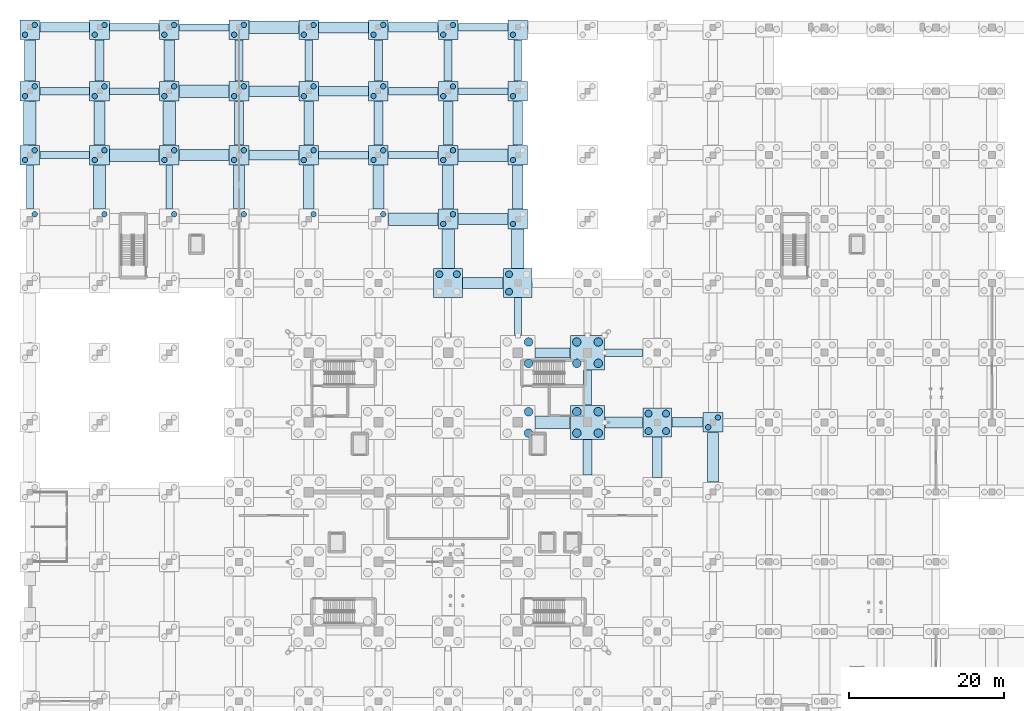
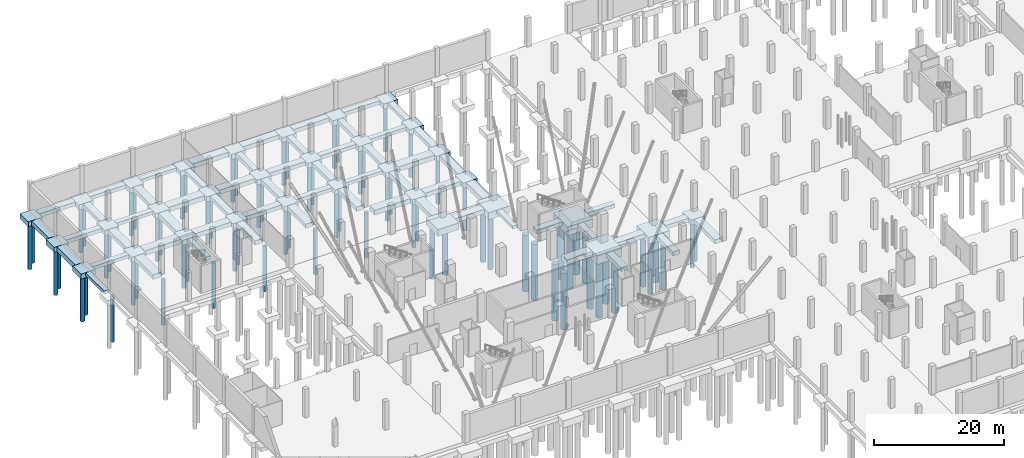
# One storey, part 6 of 42: 92 footings, 76 piles.
"""IFC4 building model written with IfcOpenShell, lengths in metres."""

import ifcopenshell
import ifcopenshell.guid

model = None  # the IFC model being written
_history = None  # IfcOwnerHistory: only IFC2X3 demands one
_inside = {}  # id of a spatial element -> (the spatial element, [elements in it])
_under = {}  # id of a project, library or spatial element -> (it, [spatial elements below it])
_declared = {}  # id of a project -> (the project, [libraries it declares])
_typed = {}  # id of a type object -> (the type object, [elements of that type])
_made_of = {}  # id of a material, layer set ... -> (it, [elements and type objects made of it])


def new_model(schema):
    """Start an empty IFC model of exactly this schema.

    Asked for "IFC4X3", IfcOpenShell would pick the latest addendum, in which some entities
    have other attributes; the version numbers below select the first issue.
    IFC2X3 requires an IfcOwnerHistory on every rooted entity: one is made here for all.
    """
    global model, _history
    if schema == "IFC4X3":
        model = ifcopenshell.file(schema_version=(4, 3, 0, 0))
    else:
        model = ifcopenshell.file(schema=schema)
    _inside.clear()
    _under.clear()
    _declared.clear()
    _typed.clear()
    _made_of.clear()
    _history = None
    if model.schema == "IFC2X3":
        org = make("IfcOrganization", Name="unknown")
        user = make(
            "IfcPersonAndOrganization",
            ThePerson=make("IfcPerson", FamilyName="unknown"),
            TheOrganization=org,
        )
        app = make(
            "IfcApplication",
            ApplicationDeveloper=org,
            Version="unknown",
            ApplicationFullName="unknown",
            ApplicationIdentifier="unknown",
        )
        _history = make(
            "IfcOwnerHistory",
            OwningUser=user,
            OwningApplication=app,
            ChangeAction="ADDED",
            CreationDate=0,
        )
    return model


def make(cls, **values):
    """One entity of the class cls with the attributes given. An attribute that is None is left unset."""
    return model.create_entity(
        cls, **{name: value for name, value in values.items() if value is not None}
    )


def rooted(cls, **values):
    """An entity with a GlobalId (a new one), such as an element, a storey or a relation."""
    return make(cls, GlobalId=ifcopenshell.guid.new(), OwnerHistory=_history, **values)


def si_unit(unit_type, name, prefix=None):
    """IfcSIUnit, for example si_unit("LENGTHUNIT", "METRE", prefix="MILLI")."""
    return make("IfcSIUnit", UnitType=unit_type, Prefix=prefix, Name=name)


def assignment(units):
    """IfcUnitAssignment: the units of a project."""
    return None if units is None else make("IfcUnitAssignment", Units=units)


def point(xyz):
    """IfcCartesianPoint."""
    return None if xyz is None else make("IfcCartesianPoint", Coordinates=xyz)


def direction(xyz):
    """IfcDirection."""
    return None if xyz is None else make("IfcDirection", DirectionRatios=xyz)


def frame(location, z_axis=None, x_axis=None):
    """IfcAxis2Placement3D, a coordinate frame: its origin and axes. An axis left out is left unset."""
    return make(
        "IfcAxis2Placement3D",
        Location=point(location),
        Axis=direction(z_axis),
        RefDirection=direction(x_axis),
    )


def frame_2d(location, x_axis=None):
    """IfcAxis2Placement2D, a coordinate frame in the plane: its origin and x axis."""
    return make(
        "IfcAxis2Placement2D", Location=point(location), RefDirection=direction(x_axis)
    )


def origin():
    """The frame at (0, 0, 0) with its axes left unset."""
    return frame((0.0, 0.0, 0.0))


def origin_2d():
    """The frame at (0, 0) in the plane with its x axis left unset."""
    return frame_2d((0.0, 0.0))


def place(relative_to, where):
    """IfcLocalPlacement: puts the frame where relative to a parent placement (None: the world)."""
    return make(
        "IfcLocalPlacement", PlacementRelTo=relative_to, RelativePlacement=where
    )


def context(
    kind, dimensions, precision=None, world=None, true_north=None, identifier=None
):
    """IfcGeometricRepresentationContext, for example the 3D "Model" context."""
    return make(
        "IfcGeometricRepresentationContext",
        ContextIdentifier=identifier,
        ContextType=kind,
        CoordinateSpaceDimension=dimensions,
        Precision=precision,
        WorldCoordinateSystem=world,
        TrueNorth=true_north,
    )


def subcontext(parent, identifier, kind, view, scale=None):
    """IfcGeometricRepresentationSubContext, for example "Body" below "Model"."""
    return make(
        "IfcGeometricRepresentationSubContext",
        ContextIdentifier=identifier,
        ContextType=kind,
        ParentContext=parent,
        TargetScale=scale,
        TargetView=view,
    )


def project(units=None, contexts=None):
    """IfcProject with its units and contexts."""
    return rooted(
        "IfcProject",
        Name="project",
        RepresentationContexts=contexts,
        UnitsInContext=assignment(units),
    )


def spatial(cls, under=None, at=None, **own):
    """A site, building, storey or space (cls), placed at a placement, below another one or the project."""
    s = rooted(cls, ObjectPlacement=at, **own)
    if under is not None:
        _under.setdefault(under.id(), (under, []))[1].append(s)
    return s


def profile(cls, at=None, kind="AREA", **sizes):
    """A parametric profile (cls). Its sizes go by their IFC names, for example OverallWidth=200.0."""
    return make(cls, ProfileType=kind, Position=at, **sizes)


def rectangle(**sizes):
    """IfcRectangleProfileDef."""
    return profile("IfcRectangleProfileDef", **sizes)


def circle(**sizes):
    """IfcCircleProfileDef."""
    return profile("IfcCircleProfileDef", **sizes)


def extrude(swept, where, along, depth):
    """IfcExtrudedAreaSolid: the profile swept, set in the frame where, extruded along a direction by depth."""
    return make(
        "IfcExtrudedAreaSolid",
        SweptArea=swept,
        Position=where,
        ExtrudedDirection=direction(along),
        Depth=depth,
    )


def shape(context_of_items, identifier, shape_type, items):
    """IfcShapeRepresentation: the items that make up one representation, for example the "Body"."""
    return make(
        "IfcShapeRepresentation",
        ContextOfItems=context_of_items,
        RepresentationIdentifier=identifier,
        RepresentationType=shape_type,
        Items=items,
    )


def material(Name=None, Category=None):
    """IfcMaterial."""
    return make("IfcMaterial", Name=Name, Category=Category)


def material_profile(
    of_material, cross_section, Name=None, Category=None, Priority=None
):
    """IfcMaterialProfile: a cross section and its material."""
    return make(
        "IfcMaterialProfile",
        Name=Name,
        Material=of_material,
        Profile=cross_section,
        Priority=Priority,
        Category=Category,
    )


def profile_set(profiles, Name=None, composite=None):
    """IfcMaterialProfileSet."""
    return make(
        "IfcMaterialProfileSet",
        Name=Name,
        MaterialProfiles=profiles,
        CompositeProfile=composite,
    )


def made_of(thing, what):
    """Note that an element or type object is made of a material, layer set ...; save() writes the relation."""
    if what is not None:
        _made_of.setdefault(what.id(), (what, []))[1].append(thing)
    return thing


def type_object(cls, material=None, **own):
    """A type object (cls), such as IfcWallType, which elements share."""
    return made_of(rooted(cls, **own), material)


def element(
    cls,
    number,
    at=None,
    inside=None,
    cuts=None,
    type_object=None,
    material=None,
    context=None,
    identifier="Body",
    shape_type=None,
    held_by="IfcProductDefinitionShape",
    body=None,
    shapes=None,
    **own,
):
    """One element of the class cls, such as IfcWall. Its Tag is "e" and its number.

    at: its placement. inside: the storey or other place that contains it. cuts: it is an
    opening in that element (IfcRelVoidsElement). A single representation is given by context,
    identifier, shape_type and body (its items); several are given by shapes. held_by: the class
    of the entity that holds the representations. save() writes the other relations.
    """
    e = rooted(cls, Tag="e%d" % number, ObjectPlacement=at, **own)
    if body is not None:
        shapes = [shape(context, identifier, shape_type, body)]
    if shapes is not None:
        e.Representation = make(held_by, Representations=shapes)
    if inside is not None:
        _inside.setdefault(inside.id(), (inside, []))[1].append(e)
    if cuts is not None:
        rooted(
            "IfcRelVoidsElement", RelatingBuildingElement=cuts, RelatedOpeningElement=e
        )
    if type_object is not None:
        _typed.setdefault(type_object.id(), (type_object, []))[1].append(e)
    return made_of(e, material)


def aggregate(whole, parts):
    """IfcRelAggregates: a whole, such as a stair, and the parts it consists of."""
    return rooted("IfcRelAggregates", RelatingObject=whole, RelatedObjects=parts)


def save(model, path):
    """Write the relations noted so far, then the file.

    IfcRelAggregates (storeys below a building ...), IfcRelContainedInSpatialStructure (elements
    in a storey), IfcRelDefinesByType, IfcRelAssociatesMaterial and IfcRelDeclares: one each for
    every whole, place, type object, material and project.
    """
    for whole, parts in _under.values():
        aggregate(whole, parts)
    for where, things in _inside.values():
        rooted(
            "IfcRelContainedInSpatialStructure",
            RelatedElements=things,
            RelatingStructure=where,
        )
    for kind, things in _typed.values():
        rooted("IfcRelDefinesByType", RelatedObjects=things, RelatingType=kind)
    for what, things in _made_of.values():
        rooted("IfcRelAssociatesMaterial", RelatedObjects=things, RelatingMaterial=what)
    for by, libraries in _declared.values():
        rooted("IfcRelDeclares", RelatingContext=by, RelatedDefinitions=libraries)
    model.write(path)


model = new_model("IFC4")

# Units and contexts
model_context = context("Model", 3, precision=1e-05, world=origin(), true_north=direction((0.0, 1.0)))
body_context = subcontext(model_context, "Body", "Model", "MODEL_VIEW")
ifc_project = project(units=[si_unit("LENGTHUNIT", "METRE"), si_unit("AREAUNIT", "SQUARE_METRE"), si_unit("VOLUMEUNIT", "CUBIC_METRE"), si_unit("PLANEANGLEUNIT", "RADIAN"), si_unit("MASSUNIT", "GRAM", prefix="KILO")], contexts=[model_context])

# Site, building, storey
site_placement = place(None, origin())
site = spatial("IfcSite", under=ifc_project, at=site_placement, CompositionType="ELEMENT")
building_placement = place(site_placement, origin())
building = spatial("IfcBuilding", under=site, at=building_placement, Name="Sundgate Opera House", CompositionType="ELEMENT")
storey_placement = place(building_placement, frame((0.0, 0.0, -5.39990234375)))
storey = spatial("IfcBuildingStorey", under=building, at=storey_placement, Name="B01", CompositionType="ELEMENT", Elevation=-5.39990234375)

# Footings
ifc_material_1 = material(Name="Concrete C40/50", Category="concrete")
footing_type_1 = type_object("IfcFootingType", Name="FT-PC-2540x2540x950", PredefinedType="PILE_CAP", material=ifc_material_1)
for number, where, z_axis, x_axis, name in (
    (1, (0.0, 103.5, -1.75), (0.0, 0.0, 1.0), (1.0, 0.0, 0.0), "Pile Cap F0013"),
    (2, (0.0, 111.75, -1.75), (0.0, 0.0, 1.0), (1.0, 0.0, 0.0), "Pile Cap F0014"),
    (3, (0.0, 119.679931640625, -1.75), (0.0, 0.0, 1.0), (1.0, 0.0, 0.0), "Pile Cap F0015"),
    (4, (9.0, 103.5, -1.75), (0.0, 0.0, 1.0), (1.0, 0.0, 0.0), "Pile Cap F0028"),
    (5, (9.0, 111.75, -1.75), (0.0, 0.0, 1.0), (1.0, 0.0, 0.0), "Pile Cap F0029"),
    (6, (9.0, 119.679931640625, -1.75), (0.0, 0.0, 1.0), (1.0, 0.0, 0.0), "Pile Cap F0030"),
    (7, (18.0, 103.5, -1.75), (0.0, 0.0, 1.0), (1.0, 0.0, 0.0), "Pile Cap F0042"),
    (8, (18.0, 111.75, -1.75), (0.0, 0.0, 1.0), (1.0, 0.0, 0.0), "Pile Cap F0043"),
    (9, (18.0, 119.679931640625, -1.75), (0.0, 0.0, 1.0), (1.0, 0.0, 0.0), "Pile Cap F0044"),
    (10, (27.0, 103.5, -1.75), (0.0, 0.0, 1.0), (1.0, 0.0, 0.0), "Pile Cap F0056"),
    (11, (27.0, 111.75, -1.75), (0.0, 0.0, 1.0), (1.0, 0.0, 0.0), "Pile Cap F0057"),
    (12, (27.0, 119.679931640625, -1.75), (0.0, 0.0, 1.0), (1.0, 0.0, 0.0), "Pile Cap F0058"),
    (13, (36.0, 103.5, -1.75), (0.0, 0.0, 1.0), (1.0, 0.0, 0.0), "Pile Cap F0067"),
    (14, (36.0, 111.75, -1.75), (0.0, 0.0, 1.0), (1.0, 0.0, 0.0), "Pile Cap F0068"),
    (15, (36.0, 119.679931640625, -1.75), (0.0, 0.0, 1.0), (1.0, 0.0, 0.0), "Pile Cap F0069"),
    (16, (45.0, 103.5, -1.75), (0.0, 0.0, 1.0), (1.0, 0.0, 0.0), "Pile Cap F0078"),
    (17, (45.0, 111.75, -1.75), (0.0, 0.0, 1.0), (1.0, 0.0, 0.0), "Pile Cap F0079"),
    (18, (45.0, 119.679931640625, -1.75), (0.0, 0.0, 1.0), (1.0, 0.0, 0.0), "Pile Cap F0080"),
    (19, (54.0, 95.25, -1.75), (0.0, 0.0, 1.0), (1.0, 0.0, 0.0), "Pile Cap F0088"),
    (20, (54.0, 103.5, -1.75), (0.0, 0.0, 1.0), (1.0, 0.0, 0.0), "Pile Cap F0089"),
    (21, (54.0, 111.75, -1.75), (0.0, 0.0, 1.0), (1.0, 0.0, 0.0), "Pile Cap F0090"),
    (22, (54.0, 119.679931640625, -1.75), (0.0, 0.0, 1.0), (1.0, 0.0, 0.0), "Pile Cap F0091"),
    (23, (63.0, 95.25, -1.75), (0.0, 0.0, 1.0), (1.0, 0.0, 0.0), "Pile Cap F0099"),
    (24, (63.0, 103.5, -1.75), (0.0, 0.0, 1.0), (1.0, 0.0, 0.0), "Pile Cap F0100"),
    (25, (63.0, 111.75, -1.75), (0.0, 0.0, 1.0), (1.0, 0.0, 0.0), "Pile Cap F0101"),
    (26, (63.0, 119.679931640625, -1.75), (0.0, 0.0, 1.0), (1.0, 0.0, 0.0), "Pile Cap F0102"),
    (27, (88.199951171875, 69.0, -1.60009765625), (0.0, 0.0, 1.0), (1.0, 0.0, 0.0), "Pile Cap F0137"),
):
    element("IfcFooting", number, at=place(storey_placement, frame(where, z_axis=z_axis, x_axis=x_axis)), inside=storey, type_object=footing_type_1, Name=name, PredefinedType="PILE_CAP", context=body_context, shape_type="SweptSolid", body=[
        extrude(rectangle(XDim=2.5400390625, YDim=2.5400390625, at=origin_2d()), origin(), (0.0, 0.0, 1.0), 0.949951171875),
    ])
ifc_material_2 = material(Name="Concrete C40/50", Category="concrete")
footing_type_2 = type_object("IfcFootingType", Name="FT-PC-3720x3720x1300", PredefinedType="PILE_CAP", material=ifc_material_2)
for number, where, z_axis, x_axis, name in (
    (28, (54.0, 87.0, -2.10009765625), (0.0, 0.0, 1.0), (1.0, 0.0, 0.0), "Pile Cap F0087"),
    (29, (63.0, 87.0, -2.10009765625), (0.0, 0.0, 1.0), (1.0, 0.0, 0.0), "Pile Cap F0098"),
    (30, (81.0, 69.0, -2.10009765625), (0.0, 0.0, 1.0), (1.0, 0.0, 0.0), "Pile Cap F0122"),
):
    element("IfcFooting", number, at=place(storey_placement, frame(where, z_axis=z_axis, x_axis=x_axis)), inside=storey, type_object=footing_type_2, Name=name, PredefinedType="PILE_CAP", context=body_context, shape_type="SweptSolid", body=[
        extrude(rectangle(XDim=3.719970703125, YDim=3.719970703125, at=origin_2d()), origin(), (0.0, 0.0, 1.0), 1.300048828125),
    ])
ifc_material_3 = material(Name="Concrete C40/50", Category="concrete")
footing_type_3 = type_object("IfcFootingType", Name="FT-PC-4420x4420x1600", PredefinedType="PILE_CAP", material=ifc_material_3)
for number, where, z_axis, x_axis, name in (
    (31, (72.0, 69.0, -2.400146484375), (0.0, 0.0, 1.0), (1.0, 0.0, 0.0), "Pile Cap F0107"),
    (32, (72.0, 78.0, -2.400146484375), (0.0, 0.0, 1.0), (1.0, 0.0, 0.0), "Pile Cap F0108"),
):
    element("IfcFooting", number, at=place(storey_placement, frame(where, z_axis=z_axis, x_axis=x_axis)), inside=storey, type_object=footing_type_3, Name=name, PredefinedType="PILE_CAP", context=body_context, shape_type="SweptSolid", body=[
        extrude(rectangle(XDim=4.419921875, YDim=4.419921875, at=origin_2d()), origin(), (0.0, 0.0, 1.0), 1.60009765625),
    ])
ifc_material_4 = material(Name="Concrete C35/45", Category="concrete")
footing_type_4 = type_object("IfcFootingType", Name="FT-STR-1000x700", PredefinedType="STRIP_FOOTING", material=ifc_material_4)
for number, where, z_axis, x_axis, name in (
    (33, (27.0, 115.715087890625, -1.5), (0.0, 0.0, 1.0), (1.0, 0.0, 0.0), "Strip Footing F0347"),
    (34, (36.0, 115.715087890625, -1.5), (0.0, 0.0, 1.0), (1.0, 0.0, 0.0), "Strip Footing F0357"),
    (35, (45.0, 115.715087890625, -1.5), (0.0, 0.0, 1.0), (1.0, 0.0, 0.0), "Strip Footing F0367"),
    (36, (54.0, 115.715087890625, -1.5), (0.0, 0.0, 1.0), (1.0, 0.0, 0.0), "Strip Footing F0377"),
    (37, (63.0, 115.715087890625, -1.5), (0.0, 0.0, 1.0), (1.0, 0.0, 0.0), "Strip Footing F0387"),
):
    element("IfcFooting", number, at=place(storey_placement, frame(where, z_axis=z_axis, x_axis=x_axis)), inside=storey, type_object=footing_type_4, Name=name, PredefinedType="STRIP_FOOTING", context=body_context, shape_type="SweptSolid", body=[
        extrude(rectangle(XDim=1.0, YDim=5.340087890625, at=origin_2d()), origin(), (0.0, 0.0, 1.0), 0.699951171875),
    ])
footing_1_placement = place(storey_placement, frame((72.0, 73.5, -1.5), z_axis=(0.0, 0.0, 1.0), x_axis=(1.0, 0.0, 0.0)))
element("IfcFooting", 38, at=footing_1_placement, inside=storey, type_object=footing_type_4, Name="Strip Footing F0392", PredefinedType="STRIP_FOOTING", context=body_context, shape_type="SweptSolid", body=[
    extrude(rectangle(XDim=1.0, YDim=4.530029296875, at=origin_2d()), origin(), (0.0, 0.0, 1.0), 0.699951171875),
])
footing_2_placement = place(storey_placement, frame((76.675048828125, 78.0, -1.5), z_axis=(0.0, 0.0, 1.0), x_axis=(1.0, 0.0, 0.0)))
element("IfcFooting", 39, at=footing_2_placement, inside=storey, type_object=footing_type_4, Name="Strip Footing F0697", PredefinedType="STRIP_FOOTING", context=body_context, shape_type="SweptSolid", body=[
    extrude(rectangle(XDim=4.8798828125, YDim=1.0, at=origin_2d()), origin(), (0.0, 0.0, 1.0), 0.699951171875),
])
for number, where, z_axis, x_axis, name in (
    (40, (40.5, 103.5, -1.5), (0.0, 0.0, 1.0), (1.0, 0.0, 0.0), "Strip Footing F0747"),
    (41, (4.5, 111.75, -1.5), (0.0, 0.0, 1.0), (1.0, 0.0, 0.0), "Strip Footing F0757"),
    (42, (49.5, 111.75, -1.5), (0.0, 0.0, 1.0), (1.0, 0.0, 0.0), "Strip Footing F0762"),
    (43, (13.5, 120.0, -1.5), (0.0, 0.0, 1.0), (1.0, 0.0, 0.0), "Strip Footing F0772"),
    (44, (58.5, 120.0, -1.5), (0.0, 0.0, 1.0), (1.0, 0.0, 0.0), "Strip Footing F0777"),
):
    element("IfcFooting", number, at=place(storey_placement, frame(where, z_axis=z_axis, x_axis=x_axis)), inside=storey, type_object=footing_type_4, Name=name, PredefinedType="STRIP_FOOTING", context=body_context, shape_type="SweptSolid", body=[
        extrude(rectangle(XDim=6.409912109375, YDim=1.0, at=origin_2d()), origin(), (0.0, 0.0, 1.0), 0.699951171875),
    ])
ifc_material_5 = material(Name="Concrete C35/45", Category="concrete")
footing_type_5 = type_object("IfcFootingType", Name="FT-STR-1200x750", PredefinedType="STRIP_FOOTING", material=ifc_material_5)
footing_3_placement = place(storey_placement, frame((9.0, 115.715087890625, -1.550048828125), z_axis=(0.0, 0.0, 1.0), x_axis=(1.0, 0.0, 0.0)))
element("IfcFooting", 45, at=footing_3_placement, inside=storey, type_object=footing_type_5, Name="Strip Footing F0326", PredefinedType="STRIP_FOOTING", context=body_context, shape_type="SweptSolid", body=[
    extrude(rectangle(XDim=1.199951171875, YDim=5.340087890625, at=origin_2d()), origin(), (0.0, 0.0, 1.0), 0.75),
])
for number, where, z_axis, x_axis, name in (
    (46, (27.0, 107.625, -1.550048828125), (0.0, 0.0, 1.0), (1.0, 0.0, 0.0), "Strip Footing F0346"),
    (47, (36.0, 107.625, -1.550048828125), (0.0, 0.0, 1.0), (1.0, 0.0, 0.0), "Strip Footing F0356"),
    (48, (45.0, 107.625, -1.550048828125), (0.0, 0.0, 1.0), (1.0, 0.0, 0.0), "Strip Footing F0366"),
    (49, (54.0, 107.625, -1.550048828125), (0.0, 0.0, 1.0), (1.0, 0.0, 0.0), "Strip Footing F0376"),
    (50, (63.0, 107.625, -1.550048828125), (0.0, 0.0, 1.0), (1.0, 0.0, 0.0), "Strip Footing F0386"),
):
    element("IfcFooting", number, at=place(storey_placement, frame(where, z_axis=z_axis, x_axis=x_axis)), inside=storey, type_object=footing_type_5, Name=name, PredefinedType="STRIP_FOOTING", context=body_context, shape_type="SweptSolid", body=[
        extrude(rectangle(XDim=1.199951171875, YDim=5.659912109375, at=origin_2d()), origin(), (0.0, 0.0, 1.0), 0.75),
    ])
footing_4_placement = place(storey_placement, frame((72.0, 64.5, -1.550048828125), z_axis=(0.0, 0.0, 1.0), x_axis=(1.0, 0.0, 0.0)))
element("IfcFooting", 51, at=footing_4_placement, inside=storey, type_object=footing_type_5, Name="Strip Footing F0391", PredefinedType="STRIP_FOOTING", context=body_context, shape_type="SweptSolid", body=[
    extrude(rectangle(XDim=1.199951171875, YDim=4.530029296875, at=origin_2d()), origin(), (0.0, 0.0, 1.0), 0.75),
])
footing_5_placement = place(storey_placement, frame((81.0, 64.5, -1.550048828125), z_axis=(0.0, 0.0, 1.0), x_axis=(1.0, 0.0, 0.0)))
element("IfcFooting", 52, at=footing_5_placement, inside=storey, type_object=footing_type_5, Name="Strip Footing F0401", PredefinedType="STRIP_FOOTING", context=body_context, shape_type="SweptSolid", body=[
    extrude(rectangle(XDim=1.199951171875, YDim=5.22998046875, at=origin_2d()), origin(), (0.0, 0.0, 1.0), 0.75),
])
footing_6_placement = place(storey_placement, frame((84.89501953125, 69.0, -1.400146484375), z_axis=(0.0, 0.0, 1.0), x_axis=(1.0, 0.0, 0.0)))
element("IfcFooting", 53, at=footing_6_placement, inside=storey, type_object=footing_type_5, Name="Strip Footing F0681", PredefinedType="STRIP_FOOTING", context=body_context, shape_type="SweptSolid", body=[
    extrude(rectangle(XDim=4.02001953125, YDim=1.199951171875, at=origin_2d()), origin(), (0.0, 0.0, 1.0), 0.75),
])
footing_7_placement = place(storey_placement, frame((67.5, 78.0, -1.550048828125), z_axis=(0.0, 0.0, 1.0), x_axis=(1.0, 0.0, 0.0)))
element("IfcFooting", 54, at=footing_7_placement, inside=storey, type_object=footing_type_5, Name="Strip Footing F0696", PredefinedType="STRIP_FOOTING", context=body_context, shape_type="SweptSolid", body=[
    extrude(rectangle(XDim=4.530029296875, YDim=1.199951171875, at=origin_2d()), origin(), (0.0, 0.0, 1.0), 0.75),
])
for number, where, z_axis, x_axis, name in (
    (55, (31.5, 103.5, -1.550048828125), (0.0, 0.0, 1.0), (1.0, 0.0, 0.0), "Strip Footing F0746"),
    (56, (40.5, 111.75, -1.550048828125), (0.0, 0.0, 1.0), (1.0, 0.0, 0.0), "Strip Footing F0761"),
    (57, (4.5, 120.0, -1.550048828125), (0.0, 0.0, 1.0), (1.0, 0.0, 0.0), "Strip Footing F0771"),
    (58, (49.5, 120.0, -1.550048828125), (0.0, 0.0, 1.0), (1.0, 0.0, 0.0), "Strip Footing F0776"),
):
    element("IfcFooting", number, at=place(storey_placement, frame(where, z_axis=z_axis, x_axis=x_axis)), inside=storey, type_object=footing_type_5, Name=name, PredefinedType="STRIP_FOOTING", context=body_context, shape_type="SweptSolid", body=[
        extrude(rectangle(XDim=6.409912109375, YDim=1.199951171875, at=origin_2d()), origin(), (0.0, 0.0, 1.0), 0.75),
    ])
ifc_material_6 = material(Name="Concrete C35/45", Category="concrete")
footing_type_6 = type_object("IfcFootingType", Name="FT-STR-1400x800", PredefinedType="STRIP_FOOTING", material=ifc_material_6)
footing_8_placement = place(storey_placement, frame((0.0, 115.715087890625, -1.60009765625), z_axis=(0.0, 0.0, 1.0), x_axis=(1.0, 0.0, 0.0)))
element("IfcFooting", 59, at=footing_8_placement, inside=storey, type_object=footing_type_6, Name="Strip Footing F0315", PredefinedType="STRIP_FOOTING", context=body_context, shape_type="SweptSolid", body=[
    extrude(rectangle(XDim=1.39990234375, YDim=5.340087890625, at=origin_2d()), origin(), (0.0, 0.0, 1.0), 0.800048828125),
])
footing_9_placement = place(storey_placement, frame((9.0, 107.625, -1.60009765625), z_axis=(0.0, 0.0, 1.0), x_axis=(1.0, 0.0, 0.0)))
element("IfcFooting", 60, at=footing_9_placement, inside=storey, type_object=footing_type_6, Name="Strip Footing F0325", PredefinedType="STRIP_FOOTING", context=body_context, shape_type="SweptSolid", body=[
    extrude(rectangle(XDim=1.39990234375, YDim=5.659912109375, at=origin_2d()), origin(), (0.0, 0.0, 1.0), 0.800048828125),
])
footing_10_placement = place(storey_placement, frame((18.0, 115.715087890625, -1.60009765625), z_axis=(0.0, 0.0, 1.0), x_axis=(1.0, 0.0, 0.0)))
element("IfcFooting", 61, at=footing_10_placement, inside=storey, type_object=footing_type_6, Name="Strip Footing F0335", PredefinedType="STRIP_FOOTING", context=body_context, shape_type="SweptSolid", body=[
    extrude(rectangle(XDim=1.39990234375, YDim=5.340087890625, at=origin_2d()), origin(), (0.0, 0.0, 1.0), 0.800048828125),
])
for number, where, z_axis, x_axis, name in (
    (62, (27.0, 99.375, -1.60009765625), (0.0, 0.0, 1.0), (1.0, 0.0, 0.0), "Strip Footing F0345"),
    (63, (36.0, 99.375, -1.60009765625), (0.0, 0.0, 1.0), (1.0, 0.0, 0.0), "Strip Footing F0355"),
    (64, (45.0, 99.375, -1.60009765625), (0.0, 0.0, 1.0), (1.0, 0.0, 0.0), "Strip Footing F0365"),
    (65, (54.0, 99.375, -1.60009765625), (0.0, 0.0, 1.0), (1.0, 0.0, 0.0), "Strip Footing F0375"),
    (66, (63.0, 99.375, -1.60009765625), (0.0, 0.0, 1.0), (1.0, 0.0, 0.0), "Strip Footing F0385"),
):
    element("IfcFooting", number, at=place(storey_placement, frame(where, z_axis=z_axis, x_axis=x_axis)), inside=storey, type_object=footing_type_6, Name=name, PredefinedType="STRIP_FOOTING", context=body_context, shape_type="SweptSolid", body=[
        extrude(rectangle(XDim=1.39990234375, YDim=5.659912109375, at=origin_2d()), origin(), (0.0, 0.0, 1.0), 0.800048828125),
    ])
footing_11_placement = place(storey_placement, frame((88.199951171875, 64.5, -1.4501953125), z_axis=(0.0, 0.0, 1.0), x_axis=(1.0, 0.0, 0.0)))
element("IfcFooting", 67, at=footing_11_placement, inside=storey, type_object=footing_type_6, Name="Strip Footing F0415", PredefinedType="STRIP_FOOTING", context=body_context, shape_type="SweptSolid", body=[
    extrude(rectangle(XDim=1.39990234375, YDim=6.409912109375, at=origin_2d()), origin(), (0.0, 0.0, 1.0), 0.800048828125),
])
footing_12_placement = place(storey_placement, frame((76.675048828125, 69.0, -1.60009765625), z_axis=(0.0, 0.0, 1.0), x_axis=(1.0, 0.0, 0.0)))
element("IfcFooting", 68, at=footing_12_placement, inside=storey, type_object=footing_type_6, Name="Strip Footing F0680", PredefinedType="STRIP_FOOTING", context=body_context, shape_type="SweptSolid", body=[
    extrude(rectangle(XDim=4.8798828125, YDim=1.39990234375, at=origin_2d()), origin(), (0.0, 0.0, 1.0), 0.800048828125),
])
footing_13_placement = place(storey_placement, frame((58.5, 87.0, -1.60009765625), z_axis=(0.0, 0.0, 1.0), x_axis=(1.0, 0.0, 0.0)))
element("IfcFooting", 69, at=footing_13_placement, inside=storey, type_object=footing_type_6, Name="Strip Footing F0715", PredefinedType="STRIP_FOOTING", context=body_context, shape_type="SweptSolid", body=[
    extrude(rectangle(XDim=5.22998046875, YDim=1.39990234375, at=origin_2d()), origin(), (0.0, 0.0, 1.0), 0.800048828125),
])
for number, where, z_axis, x_axis, name in (
    (70, (58.5, 95.25, -1.60009765625), (0.0, 0.0, 1.0), (1.0, 0.0, 0.0), "Strip Footing F0735"),
    (71, (22.5, 103.5, -1.60009765625), (0.0, 0.0, 1.0), (1.0, 0.0, 0.0), "Strip Footing F0745"),
    (72, (31.5, 111.75, -1.60009765625), (0.0, 0.0, 1.0), (1.0, 0.0, 0.0), "Strip Footing F0760"),
    (73, (40.5, 120.0, -1.60009765625), (0.0, 0.0, 1.0), (1.0, 0.0, 0.0), "Strip Footing F0775"),
):
    element("IfcFooting", number, at=place(storey_placement, frame(where, z_axis=z_axis, x_axis=x_axis)), inside=storey, type_object=footing_type_6, Name=name, PredefinedType="STRIP_FOOTING", context=body_context, shape_type="SweptSolid", body=[
        extrude(rectangle(XDim=6.409912109375, YDim=1.39990234375, at=origin_2d()), origin(), (0.0, 0.0, 1.0), 0.800048828125),
    ])
ifc_material_7 = material(Name="Concrete C35/45", Category="concrete")
footing_type_7 = type_object("IfcFootingType", Name="FT-STR-1600x900", PredefinedType="STRIP_FOOTING", material=ifc_material_7)
for number, where, z_axis, x_axis, name in (
    (74, (0.0, 107.625, -1.699951171875), (0.0, 0.0, 1.0), (1.0, 0.0, 0.0), "Strip Footing F0314"),
    (75, (9.0, 99.375, -1.699951171875), (0.0, 0.0, 1.0), (1.0, 0.0, 0.0), "Strip Footing F0324"),
    (76, (18.0, 107.625, -1.699951171875), (0.0, 0.0, 1.0), (1.0, 0.0, 0.0), "Strip Footing F0334"),
):
    element("IfcFooting", number, at=place(storey_placement, frame(where, z_axis=z_axis, x_axis=x_axis)), inside=storey, type_object=footing_type_7, Name=name, PredefinedType="STRIP_FOOTING", context=body_context, shape_type="SweptSolid", body=[
        extrude(rectangle(XDim=1.60009765625, YDim=5.659912109375, at=origin_2d()), origin(), (0.0, 0.0, 1.0), 0.89990234375),
    ])
for number, where, z_axis, x_axis, name in (
    (77, (54.0, 91.419921875, -1.699951171875), (0.0, 0.0, 1.0), (1.0, 0.0, 0.0), "Strip Footing F0374"),
    (78, (63.0, 91.419921875, -1.699951171875), (0.0, 0.0, 1.0), (1.0, 0.0, 0.0), "Strip Footing F0384"),
):
    element("IfcFooting", number, at=place(storey_placement, frame(where, z_axis=z_axis, x_axis=x_axis)), inside=storey, type_object=footing_type_7, Name=name, PredefinedType="STRIP_FOOTING", context=body_context, shape_type="SweptSolid", body=[
        extrude(rectangle(XDim=1.60009765625, YDim=5.070068359375, at=origin_2d()), origin(), (0.0, 0.0, 1.0), 0.89990234375),
    ])
footing_14_placement = place(storey_placement, frame((67.5, 69.0, -1.699951171875), z_axis=(0.0, 0.0, 1.0), x_axis=(1.0, 0.0, 0.0)))
element("IfcFooting", 79, at=footing_14_placement, inside=storey, type_object=footing_type_7, Name="Strip Footing F0679", PredefinedType="STRIP_FOOTING", context=body_context, shape_type="SweptSolid", body=[
    extrude(rectangle(XDim=4.530029296875, YDim=1.60009765625, at=origin_2d()), origin(), (0.0, 0.0, 1.0), 0.89990234375),
])
for number, where, z_axis, x_axis, name in (
    (80, (49.5, 95.25, -1.699951171875), (0.0, 0.0, 1.0), (1.0, 0.0, 0.0), "Strip Footing F0734"),
    (81, (13.5, 103.5, -1.699951171875), (0.0, 0.0, 1.0), (1.0, 0.0, 0.0), "Strip Footing F0744"),
    (82, (58.5, 103.5, -1.699951171875), (0.0, 0.0, 1.0), (1.0, 0.0, 0.0), "Strip Footing F0749"),
    (83, (22.5, 111.75, -1.699951171875), (0.0, 0.0, 1.0), (1.0, 0.0, 0.0), "Strip Footing F0759"),
    (84, (31.5, 120.0, -1.699951171875), (0.0, 0.0, 1.0), (1.0, 0.0, 0.0), "Strip Footing F0774"),
):
    element("IfcFooting", number, at=place(storey_placement, frame(where, z_axis=z_axis, x_axis=x_axis)), inside=storey, type_object=footing_type_7, Name=name, PredefinedType="STRIP_FOOTING", context=body_context, shape_type="SweptSolid", body=[
        extrude(rectangle(XDim=6.409912109375, YDim=1.60009765625, at=origin_2d()), origin(), (0.0, 0.0, 1.0), 0.89990234375),
    ])
ifc_material_8 = material(Name="Concrete C35/45", Category="concrete")
footing_type_8 = type_object("IfcFootingType", Name="FT-STR-900x600", PredefinedType="STRIP_FOOTING", material=ifc_material_8)
for number, where, z_axis, x_axis, name in (
    (85, (0.0, 99.375, -1.400146484375), (0.0, 0.0, 1.0), (1.0, 0.0, 0.0), "Strip Footing F0313"),
    (86, (18.0, 99.375, -1.400146484375), (0.0, 0.0, 1.0), (1.0, 0.0, 0.0), "Strip Footing F0333"),
):
    element("IfcFooting", number, at=place(storey_placement, frame(where, z_axis=z_axis, x_axis=x_axis)), inside=storey, type_object=footing_type_8, Name=name, PredefinedType="STRIP_FOOTING", context=body_context, shape_type="SweptSolid", body=[
        extrude(rectangle(XDim=0.89990234375, YDim=5.659912109375, at=origin_2d()), origin(), (0.0, 0.0, 1.0), 0.60009765625),
    ])
footing_15_placement = place(storey_placement, frame((63.0, 82.675048828125, -1.400146484375), z_axis=(0.0, 0.0, 1.0), x_axis=(1.0, 0.0, 0.0)))
element("IfcFooting", 87, at=footing_15_placement, inside=storey, type_object=footing_type_8, Name="Strip Footing F0383", PredefinedType="STRIP_FOOTING", context=body_context, shape_type="SweptSolid", body=[
    extrude(rectangle(XDim=0.89990234375, YDim=4.8798828125, at=origin_2d()), origin(), (0.0, 0.0, 1.0), 0.60009765625),
])
for number, where, z_axis, x_axis, name in (
    (88, (4.5, 103.5, -1.400146484375), (0.0, 0.0, 1.0), (1.0, 0.0, 0.0), "Strip Footing F0743"),
    (89, (49.5, 103.5, -1.400146484375), (0.0, 0.0, 1.0), (1.0, 0.0, 0.0), "Strip Footing F0748"),
    (90, (13.5, 111.75, -1.400146484375), (0.0, 0.0, 1.0), (1.0, 0.0, 0.0), "Strip Footing F0758"),
    (91, (58.5, 111.75, -1.400146484375), (0.0, 0.0, 1.0), (1.0, 0.0, 0.0), "Strip Footing F0763"),
    (92, (22.5, 120.0, -1.400146484375), (0.0, 0.0, 1.0), (1.0, 0.0, 0.0), "Strip Footing F0773"),
):
    element("IfcFooting", number, at=place(storey_placement, frame(where, z_axis=z_axis, x_axis=x_axis)), inside=storey, type_object=footing_type_8, Name=name, PredefinedType="STRIP_FOOTING", context=body_context, shape_type="SweptSolid", body=[
        extrude(rectangle(XDim=6.409912109375, YDim=0.89990234375, at=origin_2d()), origin(), (0.0, 0.0, 1.0), 0.60009765625),
    ])

# Piles
ifc_material_9 = material(Name="Concrete C40/50", Category="concrete")
ifc_material_profile_1 = material_profile(ifc_material_9, circle(Radius=0.550048828125, at=origin_2d()), Name="PILE D1100")
ifc_profile_set_1 = profile_set([ifc_material_profile_1], Name="Concrete C40/50")
pile_type_1 = type_object("IfcPileType", Name="PL-1100", PredefinedType="BORED", material=ifc_profile_set_1)
for number, where, z_axis, x_axis, name in (
    (93, (64.3798828125, 67.6201171875, -2.300048828125), (0.0, 0.0, -1.0), (1.0, 0.0, 0.0), "Rock-Socketed Pile P0257"),
    (94, (64.3798828125, 70.3798828125, -2.300048828125), (0.0, 0.0, -1.0), (1.0, 0.0, 0.0), "Rock-Socketed Pile P0258"),
    (95, (64.3798828125, 76.6201171875, -2.300048828125), (0.0, 0.0, -1.0), (1.0, 0.0, 0.0), "Rock-Socketed Pile P0261"),
    (96, (64.3798828125, 79.3798828125, -2.300048828125), (0.0, 0.0, -1.0), (1.0, 0.0, 0.0), "Rock-Socketed Pile P0262"),
    (97, (70.6201171875, 67.6201171875, -2.300048828125), (0.0, 0.0, -1.0), (1.0, 0.0, 0.0), "Rock-Socketed Pile P0291"),
    (98, (70.6201171875, 70.3798828125, -2.300048828125), (0.0, 0.0, -1.0), (1.0, 0.0, 0.0), "Rock-Socketed Pile P0292"),
    (99, (73.3798828125, 67.6201171875, -2.300048828125), (0.0, 0.0, -1.0), (1.0, 0.0, 0.0), "Rock-Socketed Pile P0293"),
    (100, (73.3798828125, 70.3798828125, -2.300048828125), (0.0, 0.0, -1.0), (1.0, 0.0, 0.0), "Rock-Socketed Pile P0294"),
    (101, (70.6201171875, 76.6201171875, -2.300048828125), (0.0, 0.0, -1.0), (1.0, 0.0, 0.0), "Rock-Socketed Pile P0295"),
    (102, (70.6201171875, 79.3798828125, -2.300048828125), (0.0, 0.0, -1.0), (1.0, 0.0, 0.0), "Rock-Socketed Pile P0296"),
    (103, (73.3798828125, 76.6201171875, -2.300048828125), (0.0, 0.0, -1.0), (1.0, 0.0, 0.0), "Rock-Socketed Pile P0297"),
    (104, (73.3798828125, 79.3798828125, -2.300048828125), (0.0, 0.0, -1.0), (1.0, 0.0, 0.0), "Rock-Socketed Pile P0298"),
):
    element("IfcPile", number, at=place(storey_placement, frame(where, z_axis=z_axis, x_axis=x_axis)), inside=storey, type_object=pile_type_1, Name=name, PredefinedType="BORED", context=body_context, shape_type="SweptSolid", body=[
        extrude(circle(Radius=0.550048828125, at=origin_2d()), origin(), (0.0, 0.0, 1.0), 10.60009765625),
    ])
ifc_material_10 = material(Name="Concrete C40/50", Category="concrete")
ifc_material_profile_2 = material_profile(ifc_material_10, circle(Radius=0.35009765625, at=origin_2d()), Name="PILE D700")
ifc_profile_set_2 = profile_set([ifc_material_profile_2], Name="Concrete C40/50")
pile_type_2 = type_object("IfcPileType", Name="PL-700", PredefinedType="BORED", material=ifc_profile_set_2)
for number, where, z_axis, x_axis, name in (
    (105, (0.6298828125, 95.8798828125, -1.650146484375), (0.0, 0.0, -1.0), (1.0, 0.0, 0.0), "Rock-Socketed Pile P0024"),
    (106, (-0.6298828125, 102.8701171875, -1.650146484375), (0.0, 0.0, -1.0), (1.0, 0.0, 0.0), "Rock-Socketed Pile P0025"),
    (107, (0.6298828125, 104.1298828125, -1.650146484375), (0.0, 0.0, -1.0), (1.0, 0.0, 0.0), "Rock-Socketed Pile P0026"),
    (108, (-0.6298828125, 111.1201171875, -1.650146484375), (0.0, 0.0, -1.0), (1.0, 0.0, 0.0), "Rock-Socketed Pile P0027"),
    (109, (0.6298828125, 112.3798828125, -1.650146484375), (0.0, 0.0, -1.0), (1.0, 0.0, 0.0), "Rock-Socketed Pile P0028"),
    (110, (-0.6298828125, 119.050048828125, -1.650146484375), (0.0, 0.0, -1.0), (1.0, 0.0, 0.0), "Rock-Socketed Pile P0029"),
    (111, (0.6298828125, 120.31005859375, -1.650146484375), (0.0, 0.0, -1.0), (1.0, 0.0, 0.0), "Rock-Socketed Pile P0030"),
    (112, (9.6298828125, 95.8798828125, -1.650146484375), (0.0, 0.0, -1.0), (1.0, 0.0, 0.0), "Rock-Socketed Pile P0054"),
    (113, (8.3701171875, 102.8701171875, -1.650146484375), (0.0, 0.0, -1.0), (1.0, 0.0, 0.0), "Rock-Socketed Pile P0055"),
    (114, (9.6298828125, 104.1298828125, -1.650146484375), (0.0, 0.0, -1.0), (1.0, 0.0, 0.0), "Rock-Socketed Pile P0056"),
    (115, (8.3701171875, 111.1201171875, -1.650146484375), (0.0, 0.0, -1.0), (1.0, 0.0, 0.0), "Rock-Socketed Pile P0057"),
    (116, (9.6298828125, 112.3798828125, -1.650146484375), (0.0, 0.0, -1.0), (1.0, 0.0, 0.0), "Rock-Socketed Pile P0058"),
    (117, (8.3701171875, 119.050048828125, -1.650146484375), (0.0, 0.0, -1.0), (1.0, 0.0, 0.0), "Rock-Socketed Pile P0059"),
    (118, (9.6298828125, 120.31005859375, -1.650146484375), (0.0, 0.0, -1.0), (1.0, 0.0, 0.0), "Rock-Socketed Pile P0060"),
    (119, (18.6298828125, 95.8798828125, -1.650146484375), (0.0, 0.0, -1.0), (1.0, 0.0, 0.0), "Rock-Socketed Pile P0082"),
    (120, (17.3701171875, 102.8701171875, -1.650146484375), (0.0, 0.0, -1.0), (1.0, 0.0, 0.0), "Rock-Socketed Pile P0083"),
    (121, (18.6298828125, 104.1298828125, -1.650146484375), (0.0, 0.0, -1.0), (1.0, 0.0, 0.0), "Rock-Socketed Pile P0084"),
    (122, (17.3701171875, 111.1201171875, -1.650146484375), (0.0, 0.0, -1.0), (1.0, 0.0, 0.0), "Rock-Socketed Pile P0085"),
    (123, (18.6298828125, 112.3798828125, -1.650146484375), (0.0, 0.0, -1.0), (1.0, 0.0, 0.0), "Rock-Socketed Pile P0086"),
    (124, (17.3701171875, 119.050048828125, -1.650146484375), (0.0, 0.0, -1.0), (1.0, 0.0, 0.0), "Rock-Socketed Pile P0087"),
    (125, (18.6298828125, 120.31005859375, -1.650146484375), (0.0, 0.0, -1.0), (1.0, 0.0, 0.0), "Rock-Socketed Pile P0088"),
    (126, (27.6298828125, 95.8798828125, -1.650146484375), (0.0, 0.0, -1.0), (1.0, 0.0, 0.0), "Rock-Socketed Pile P0124"),
    (127, (26.3701171875, 102.8701171875, -1.650146484375), (0.0, 0.0, -1.0), (1.0, 0.0, 0.0), "Rock-Socketed Pile P0125"),
    (128, (27.6298828125, 104.1298828125, -1.650146484375), (0.0, 0.0, -1.0), (1.0, 0.0, 0.0), "Rock-Socketed Pile P0126"),
    (129, (26.3701171875, 111.1201171875, -1.650146484375), (0.0, 0.0, -1.0), (1.0, 0.0, 0.0), "Rock-Socketed Pile P0127"),
    (130, (27.6298828125, 112.3798828125, -1.650146484375), (0.0, 0.0, -1.0), (1.0, 0.0, 0.0), "Rock-Socketed Pile P0128"),
    (131, (26.3701171875, 119.050048828125, -1.650146484375), (0.0, 0.0, -1.0), (1.0, 0.0, 0.0), "Rock-Socketed Pile P0129"),
    (132, (27.6298828125, 120.31005859375, -1.650146484375), (0.0, 0.0, -1.0), (1.0, 0.0, 0.0), "Rock-Socketed Pile P0130"),
    (133, (36.6298828125, 95.8798828125, -1.650146484375), (0.0, 0.0, -1.0), (1.0, 0.0, 0.0), "Rock-Socketed Pile P0160"),
    (134, (35.3701171875, 102.8701171875, -1.650146484375), (0.0, 0.0, -1.0), (1.0, 0.0, 0.0), "Rock-Socketed Pile P0161"),
    (135, (36.6298828125, 104.1298828125, -1.650146484375), (0.0, 0.0, -1.0), (1.0, 0.0, 0.0), "Rock-Socketed Pile P0162"),
    (136, (35.3701171875, 111.1201171875, -1.650146484375), (0.0, 0.0, -1.0), (1.0, 0.0, 0.0), "Rock-Socketed Pile P0163"),
    (137, (36.6298828125, 112.3798828125, -1.650146484375), (0.0, 0.0, -1.0), (1.0, 0.0, 0.0), "Rock-Socketed Pile P0164"),
    (138, (35.3701171875, 119.050048828125, -1.650146484375), (0.0, 0.0, -1.0), (1.0, 0.0, 0.0), "Rock-Socketed Pile P0165"),
    (139, (36.6298828125, 120.31005859375, -1.650146484375), (0.0, 0.0, -1.0), (1.0, 0.0, 0.0), "Rock-Socketed Pile P0166"),
    (140, (45.6298828125, 95.8798828125, -1.650146484375), (0.0, 0.0, -1.0), (1.0, 0.0, 0.0), "Rock-Socketed Pile P0196"),
    (141, (44.3701171875, 102.8701171875, -1.650146484375), (0.0, 0.0, -1.0), (1.0, 0.0, 0.0), "Rock-Socketed Pile P0197"),
    (142, (45.6298828125, 104.1298828125, -1.650146484375), (0.0, 0.0, -1.0), (1.0, 0.0, 0.0), "Rock-Socketed Pile P0198"),
    (143, (44.3701171875, 111.1201171875, -1.650146484375), (0.0, 0.0, -1.0), (1.0, 0.0, 0.0), "Rock-Socketed Pile P0199"),
    (144, (45.6298828125, 112.3798828125, -1.650146484375), (0.0, 0.0, -1.0), (1.0, 0.0, 0.0), "Rock-Socketed Pile P0200"),
    (145, (44.3701171875, 119.050048828125, -1.650146484375), (0.0, 0.0, -1.0), (1.0, 0.0, 0.0), "Rock-Socketed Pile P0201"),
    (146, (45.6298828125, 120.31005859375, -1.650146484375), (0.0, 0.0, -1.0), (1.0, 0.0, 0.0), "Rock-Socketed Pile P0202"),
    (147, (53.3701171875, 94.6201171875, -1.650146484375), (0.0, 0.0, -1.0), (1.0, 0.0, 0.0), "Rock-Socketed Pile P0231"),
    (148, (54.6298828125, 95.8798828125, -1.650146484375), (0.0, 0.0, -1.0), (1.0, 0.0, 0.0), "Rock-Socketed Pile P0232"),
    (149, (53.3701171875, 102.8701171875, -1.650146484375), (0.0, 0.0, -1.0), (1.0, 0.0, 0.0), "Rock-Socketed Pile P0233"),
    (150, (54.6298828125, 104.1298828125, -1.650146484375), (0.0, 0.0, -1.0), (1.0, 0.0, 0.0), "Rock-Socketed Pile P0234"),
    (151, (53.3701171875, 111.1201171875, -1.650146484375), (0.0, 0.0, -1.0), (1.0, 0.0, 0.0), "Rock-Socketed Pile P0235"),
    (152, (54.6298828125, 112.3798828125, -1.650146484375), (0.0, 0.0, -1.0), (1.0, 0.0, 0.0), "Rock-Socketed Pile P0236"),
    (153, (53.3701171875, 119.050048828125, -1.650146484375), (0.0, 0.0, -1.0), (1.0, 0.0, 0.0), "Rock-Socketed Pile P0237"),
    (154, (54.6298828125, 120.31005859375, -1.650146484375), (0.0, 0.0, -1.0), (1.0, 0.0, 0.0), "Rock-Socketed Pile P0238"),
    (155, (62.3701171875, 94.6201171875, -1.650146484375), (0.0, 0.0, -1.0), (1.0, 0.0, 0.0), "Rock-Socketed Pile P0267"),
    (156, (62.3701171875, 102.8701171875, -1.650146484375), (0.0, 0.0, -1.0), (1.0, 0.0, 0.0), "Rock-Socketed Pile P0269"),
    (157, (62.3701171875, 111.1201171875, -1.650146484375), (0.0, 0.0, -1.0), (1.0, 0.0, 0.0), "Rock-Socketed Pile P0271"),
    (158, (62.3701171875, 119.050048828125, -1.650146484375), (0.0, 0.0, -1.0), (1.0, 0.0, 0.0), "Rock-Socketed Pile P0273"),
    (159, (87.570068359375, 68.3701171875, -1.5), (0.0, 0.0, -1.0), (1.0, 0.0, 0.0), "Rock-Socketed Pile P0371"),
    (160, (88.830078125, 69.6298828125, -1.5), (0.0, 0.0, -1.0), (1.0, 0.0, 0.0), "Rock-Socketed Pile P0372"),
):
    element("IfcPile", number, at=place(storey_placement, frame(where, z_axis=z_axis, x_axis=x_axis)), inside=storey, type_object=pile_type_2, Name=name, PredefinedType="BORED", context=body_context, shape_type="SweptSolid", body=[
        extrude(circle(Radius=0.35009765625, at=origin_2d()), origin(), (0.0, 0.0, 1.0), 8.5),
    ])
ifc_material_11 = material(Name="Concrete C40/50", Category="concrete")
ifc_material_profile_3 = material_profile(ifc_material_11, circle(Radius=0.449951171875, at=origin_2d()), Name="PILE D900")
ifc_profile_set_3 = profile_set([ifc_material_profile_3], Name="Concrete C40/50")
pile_type_3 = type_object("IfcPileType", Name="PL-900", PredefinedType="BORED", material=ifc_profile_set_3)
for number, where, z_axis, x_axis, name in (
    (161, (52.8701171875, 88.1298828125, -2.0), (0.0, 0.0, -1.0), (1.0, 0.0, 0.0), "Rock-Socketed Pile P0228"),
    (162, (55.1298828125, 88.1298828125, -2.0), (0.0, 0.0, -1.0), (1.0, 0.0, 0.0), "Rock-Socketed Pile P0230"),
    (163, (61.8701171875, 85.8701171875, -2.0), (0.0, 0.0, -1.0), (1.0, 0.0, 0.0), "Rock-Socketed Pile P0263"),
    (164, (61.8701171875, 88.1298828125, -2.0), (0.0, 0.0, -1.0), (1.0, 0.0, 0.0), "Rock-Socketed Pile P0264"),
    (165, (79.8701171875, 67.8701171875, -2.0), (0.0, 0.0, -1.0), (1.0, 0.0, 0.0), "Rock-Socketed Pile P0335"),
    (166, (79.8701171875, 70.1298828125, -2.0), (0.0, 0.0, -1.0), (1.0, 0.0, 0.0), "Rock-Socketed Pile P0336"),
    (167, (82.1298828125, 67.8701171875, -2.0), (0.0, 0.0, -1.0), (1.0, 0.0, 0.0), "Rock-Socketed Pile P0337"),
    (168, (82.1298828125, 70.1298828125, -2.0), (0.0, 0.0, -1.0), (1.0, 0.0, 0.0), "Rock-Socketed Pile P0338"),
):
    element("IfcPile", number, at=place(storey_placement, frame(where, z_axis=z_axis, x_axis=x_axis)), inside=storey, type_object=pile_type_3, Name=name, PredefinedType="BORED", context=body_context, shape_type="SweptSolid", body=[
        extrude(circle(Radius=0.449951171875, at=origin_2d()), origin(), (0.0, 0.0, 1.0), 9.89990234375),
    ])

save(model, "model.ifc")
